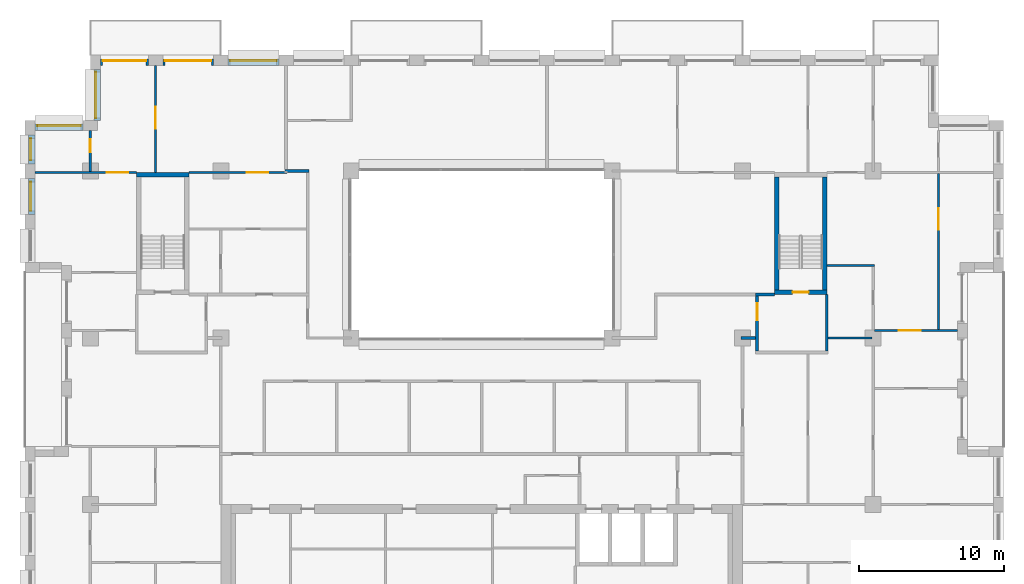
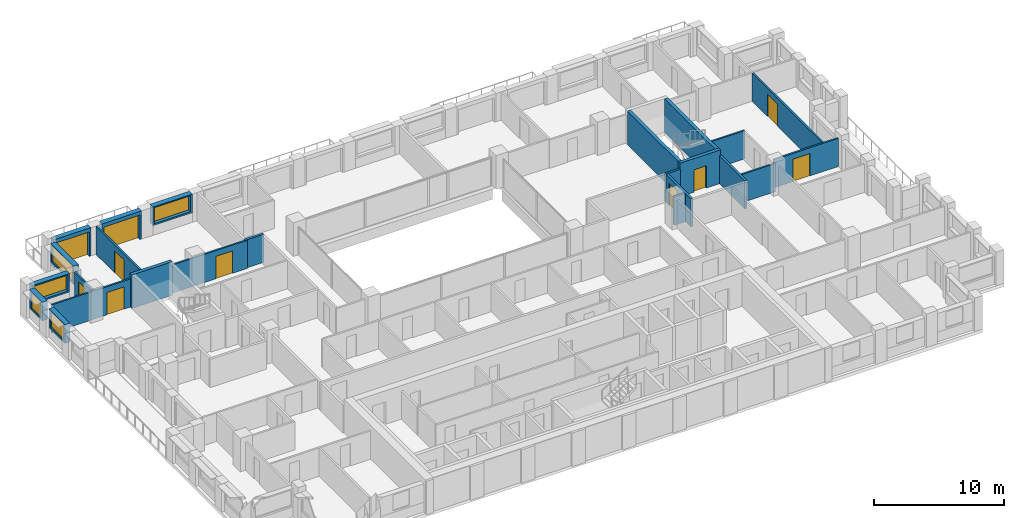
# One storey, part 12 of 16: 24 walls, 10 doors, 5 windows, 15 openings.
"""IFC4 building model written with IfcOpenShell, lengths in metres."""

from ifc_helpers import new_model, si_unit, direction, frame, frame_2d, origin, place, context, subcontext, project, spatial, rectangle, extrude, material, layer, layer_set, type_object, element, fill, save


model = new_model("IFC4")

# Units and contexts
model_context = context("Model", 3, precision=1e-05, world=origin(), true_north=direction((0.0, 1.0)))
body_context = subcontext(model_context, "Body", "Model", "MODEL_VIEW")
ifc_project = project(units=[si_unit("LENGTHUNIT", "METRE"), si_unit("AREAUNIT", "SQUARE_METRE"), si_unit("VOLUMEUNIT", "CUBIC_METRE"), si_unit("PLANEANGLEUNIT", "RADIAN"), si_unit("MASSUNIT", "GRAM", prefix="KILO")], contexts=[model_context])

# Site, building, storey
site_placement = place(None, origin())
site = spatial("IfcSite", under=ifc_project, at=site_placement, CompositionType="ELEMENT")
building_placement = place(site_placement, origin())
building = spatial("IfcBuilding", under=site, at=building_placement, Name="Brigalow Station Residences", CompositionType="ELEMENT")
storey_placement = place(building_placement, frame((0.0, 0.0, 182.25)))
storey = spatial("IfcBuildingStorey", under=building, at=storey_placement, Name="L53", CompositionType="ELEMENT", Elevation=182.25)

# Wall, opening, window
ifc_material_1 = material(Name="Clay brick masonry", Category="masonry")
ifc_layer_1 = layer(ifc_material_1, 0.449951171875)
ifc_layer_set_1 = layer_set([ifc_layer_1], Name="BRICK INFILL WALL 450")
wall_type_1 = type_object("IfcWallType", Name="BRICK INFILL WALL 450", PredefinedType="SOLIDWALL", material=ifc_layer_set_1)
wall_1_placement = place(storey_placement, frame((22.0, 43.02490234375, 0.89990234375), z_axis=(0.0, 0.0, 1.0), x_axis=(-1.0, 0.0, 0.0)))
wall_1 = element("IfcWall", 1, at=wall_1_placement, inside=storey, type_object=wall_type_1, Name="L53/ewall/W-L53-32", PredefinedType="SOLIDWALL", context=body_context, shape_type="SweptSolid", body=[
    extrude(rectangle(XDim=3.5, YDim=0.449951171875, at=frame_2d((1.75, 0.0))), origin(), (0.0, 0.0, 1.0), 1.75),
])
opening_1_placement = place(wall_1_placement, frame((0.14990234375, 0.0, 0.14990234375)))
opening_1 = element("IfcOpeningElement", 2, at=opening_1_placement, cuts=wall_1, Name="Opening WT-9", PredefinedType="OPENING", context=body_context, shape_type="SweptSolid", body=[
    extrude(rectangle(XDim=3.199951171875, YDim=1.5, at=frame_2d((1.60009765625, 0.75))), frame((0.0, 0.23486328125, 0.0), z_axis=(0.0, -1.0, 0.0), x_axis=(1.0, 0.0, 0.0)), (0.0, 0.0, 1.0), 0.469970703125),
])
ifc_material_2 = material(Name="Anodised aluminium frame with double glazing", Category="aluminium")
window_type_1 = type_object("IfcWindowType", Name="WINDOW 3200x1500", PartitioningType="SINGLE_PANEL", PredefinedType="WINDOW", material=ifc_material_2)
window_1_placement = place(opening_1_placement, origin())
window_1 = element("IfcWindow", 3, at=window_1_placement, inside=storey, type_object=window_type_1, Name="L53/window/W-L53-32", OverallHeight=1.5, OverallWidth=3.199951171875, PartitioningType="SINGLE_PANEL", PredefinedType="WINDOW", context=body_context, shape_type="SweptSolid", body=[
    extrude(rectangle(XDim=3.199951171875, YDim=1.5, at=frame_2d((1.60009765625, 0.75))), frame((0.0, -0.06494140625, 0.0), z_axis=(0.0, -1.0, 0.0), x_axis=(1.0, 0.0, 0.0)), (0.0, 0.0, 1.0), 0.06005859375),
])
fill(opening_1, window_1)

# Wall, opening, door
wall_2_placement = place(storey_placement, frame((17.5, 43.02490234375, 0.0), z_axis=(0.0, 0.0, 1.0), x_axis=(-1.0, 0.0, 0.0)))
wall_2 = element("IfcWall", 4, at=wall_2_placement, inside=storey, type_object=wall_type_1, Name="L53/ewall/W-L53-33", PredefinedType="SOLIDWALL", context=body_context, shape_type="SweptSolid", body=[
    extrude(rectangle(XDim=3.5, YDim=0.449951171875, at=frame_2d((1.75, 0.0))), origin(), (0.0, 0.0, 1.0), 2.64990234375),
])
opening_2_placement = place(wall_2_placement, frame((0.14990234375, 0.0, 0.0)))
opening_2 = element("IfcOpeningElement", 5, at=opening_2_placement, cuts=wall_2, Name="Opening D-B3200", PredefinedType="OPENING", context=body_context, shape_type="SweptSolid", body=[
    extrude(rectangle(XDim=3.199951171875, YDim=2.300048828125, at=frame_2d((1.60009765625, 1.14990234375))), frame((0.0, 0.23486328125, 0.0), z_axis=(0.0, -1.0, 0.0), x_axis=(1.0, 0.0, 0.0)), (0.0, 0.0, 1.0), 0.469970703125),
])
ifc_material_3 = material(Name="Anodised aluminium frame with double glazing", Category="aluminium")
door_type_1 = type_object("IfcDoorType", Name="BALCONY SLIDING DOOR 3200x2300", OperationType="SLIDING_TO_LEFT", PredefinedType="DOOR", material=ifc_material_3)
door_1_placement = place(opening_2_placement, origin())
door_1 = element("IfcDoor", 6, at=door_1_placement, inside=storey, type_object=door_type_1, Name="L53/balcony-door/W-L53-33", OperationType="SLIDING_TO_LEFT", OverallHeight=2.300048828125, OverallWidth=3.199951171875, PredefinedType="DOOR", context=body_context, shape_type="SweptSolid", body=[
    extrude(rectangle(XDim=3.199951171875, YDim=2.300048828125, at=frame_2d((1.60009765625, 1.14990234375))), frame((0.0, -0.06982421875, 0.0), z_axis=(0.0, -1.0, 0.0), x_axis=(1.0, 0.0, 0.0)), (0.0, 0.0, 1.0), 0.050048828125),
])
fill(opening_2, door_1)

wall_3_placement = place(storey_placement, frame((13.0, 43.02490234375, 0.0), z_axis=(0.0, 0.0, 1.0), x_axis=(-1.0, 0.0, 0.0)))
wall_3 = element("IfcWall", 7, at=wall_3_placement, inside=storey, type_object=wall_type_1, Name="L53/ewall/W-L53-34", PredefinedType="SOLIDWALL", context=body_context, shape_type="SweptSolid", body=[
    extrude(rectangle(XDim=3.300048828125, YDim=0.449951171875, at=frame_2d((1.64990234375, 0.0))), origin(), (0.0, 0.0, 1.0), 2.64990234375),
])
opening_3_placement = place(wall_3_placement, frame((0.14990234375, 0.0, 0.0)))
opening_3 = element("IfcOpeningElement", 8, at=opening_3_placement, cuts=wall_3, Name="Opening D-B3000", PredefinedType="OPENING", context=body_context, shape_type="SweptSolid", body=[
    extrude(rectangle(XDim=3.0, YDim=2.300048828125, at=frame_2d((1.5, 1.14990234375))), frame((0.0, 0.23486328125, 0.0), z_axis=(0.0, -1.0, 0.0), x_axis=(1.0, 0.0, 0.0)), (0.0, 0.0, 1.0), 0.469970703125),
])
ifc_material_4 = material(Name="Anodised aluminium frame with double glazing", Category="aluminium")
door_type_2 = type_object("IfcDoorType", Name="BALCONY SLIDING DOOR 3000x2300", OperationType="SLIDING_TO_LEFT", PredefinedType="DOOR", material=ifc_material_4)
door_2_placement = place(opening_3_placement, origin())
door_2 = element("IfcDoor", 9, at=door_2_placement, inside=storey, type_object=door_type_2, Name="L53/balcony-door/W-L53-34", OperationType="SLIDING_TO_LEFT", OverallHeight=2.300048828125, OverallWidth=3.0, PredefinedType="DOOR", context=body_context, shape_type="SweptSolid", body=[
    extrude(rectangle(XDim=3.0, YDim=2.300048828125, at=frame_2d((1.5, 1.14990234375))), frame((0.0, -0.06982421875, 0.0), z_axis=(0.0, -1.0, 0.0), x_axis=(1.0, 0.0, 0.0)), (0.0, 0.0, 1.0), 0.050048828125),
])
fill(opening_3, door_2)

# Wall, opening, window
wall_4_placement = place(storey_placement, frame((9.47509765625, 42.5, 0.89990234375), z_axis=(0.0, 0.0, 1.0), x_axis=(0.0, -1.0, 0.0)))
wall_4 = element("IfcWall", 10, at=wall_4_placement, inside=storey, type_object=wall_type_1, Name="L53/ewall/W-L53-35", PredefinedType="SOLIDWALL", context=body_context, shape_type="SweptSolid", body=[
    extrude(rectangle(XDim=3.5, YDim=0.449951171875, at=frame_2d((1.75, 0.0))), origin(), (0.0, 0.0, 1.0), 1.75),
])
opening_4_placement = place(wall_4_placement, frame((0.14990234375, 0.0, 0.14990234375)))
opening_4 = element("IfcOpeningElement", 11, at=opening_4_placement, cuts=wall_4, Name="Opening WT-9", PredefinedType="OPENING", context=body_context, shape_type="SweptSolid", body=[
    extrude(rectangle(XDim=3.199951171875, YDim=1.5, at=frame_2d((1.60009765625, 0.75))), frame((0.0, 0.23486328125, 0.0), z_axis=(0.0, -1.0, 0.0), x_axis=(1.0, 0.0, 0.0)), (0.0, 0.0, 1.0), 0.469970703125),
])
window_2_placement = place(opening_4_placement, origin())
window_2 = element("IfcWindow", 12, at=window_2_placement, inside=storey, type_object=window_type_1, Name="L53/window/W-L53-35", OverallHeight=1.5, OverallWidth=3.199951171875, PartitioningType="SINGLE_PANEL", PredefinedType="WINDOW", context=body_context, shape_type="SweptSolid", body=[
    extrude(rectangle(XDim=3.199951171875, YDim=1.5, at=frame_2d((1.60009765625, 0.75))), frame((0.0, -0.06494140625, 0.0), z_axis=(0.0, -1.0, 0.0), x_axis=(1.0, 0.0, 0.0)), (0.0, 0.0, 1.0), 0.06005859375),
])
fill(opening_4, window_2)

wall_5_placement = place(storey_placement, frame((8.5, 38.52490234375, 0.89990234375), z_axis=(0.0, 0.0, 1.0), x_axis=(-1.0, 0.0, 0.0)))
wall_5 = element("IfcWall", 13, at=wall_5_placement, inside=storey, type_object=wall_type_1, Name="L53/ewall/W-L53-36", PredefinedType="SOLIDWALL", context=body_context, shape_type="SweptSolid", body=[
    extrude(rectangle(XDim=3.300048828125, YDim=0.449951171875, at=frame_2d((1.64990234375, 0.0))), origin(), (0.0, 0.0, 1.0), 1.75),
])
opening_5_placement = place(wall_5_placement, frame((0.14990234375, 0.0, 0.14990234375)))
opening_5 = element("IfcOpeningElement", 14, at=opening_5_placement, cuts=wall_5, Name="Opening WT-2", PredefinedType="OPENING", context=body_context, shape_type="SweptSolid", body=[
    extrude(rectangle(XDim=3.0, YDim=1.5, at=frame_2d((1.5, 0.75))), frame((0.0, 0.23486328125, 0.0), z_axis=(0.0, -1.0, 0.0), x_axis=(1.0, 0.0, 0.0)), (0.0, 0.0, 1.0), 0.469970703125),
])
ifc_material_5 = material(Name="Anodised aluminium frame with double glazing", Category="aluminium")
window_type_2 = type_object("IfcWindowType", Name="WINDOW 3000x1500", PartitioningType="SINGLE_PANEL", PredefinedType="WINDOW", material=ifc_material_5)
window_3_placement = place(opening_5_placement, origin())
window_3 = element("IfcWindow", 15, at=window_3_placement, inside=storey, type_object=window_type_2, Name="L53/window/W-L53-36", OverallHeight=1.5, OverallWidth=3.0, PartitioningType="SINGLE_PANEL", PredefinedType="WINDOW", context=body_context, shape_type="SweptSolid", body=[
    extrude(rectangle(XDim=3.0, YDim=1.5, at=frame_2d((1.5, 0.75))), frame((0.0, -0.06494140625, 0.0), z_axis=(0.0, -1.0, 0.0), x_axis=(1.0, 0.0, 0.0)), (0.0, 0.0, 1.0), 0.06005859375),
])
fill(opening_5, window_3)

wall_6_placement = place(storey_placement, frame((4.97509765625, 38.0, 0.89990234375), z_axis=(0.0, 0.0, 1.0), x_axis=(0.0, -1.0, 0.0)))
wall_6 = element("IfcWall", 16, at=wall_6_placement, inside=storey, type_object=wall_type_1, Name="L53/ewall/W-L53-37", PredefinedType="SOLIDWALL", context=body_context, shape_type="SweptSolid", body=[
    extrude(rectangle(XDim=2.0, YDim=0.449951171875, at=frame_2d((1.0, 0.0))), origin(), (0.0, 0.0, 1.0), 1.75),
])
opening_6_placement = place(wall_6_placement, frame((0.25, 0.0, 0.14990234375)))
opening_6 = element("IfcOpeningElement", 17, at=opening_6_placement, cuts=wall_6, Name="Opening WT-1", PredefinedType="OPENING", context=body_context, shape_type="SweptSolid", body=[
    extrude(rectangle(XDim=1.5, YDim=1.5, at=frame_2d((0.75, 0.75))), frame((0.0, 0.23486328125, 0.0), z_axis=(0.0, -1.0, 0.0), x_axis=(1.0, 0.0, 0.0)), (0.0, 0.0, 1.0), 0.469970703125),
])
ifc_material_6 = material(Name="Anodised aluminium frame with double glazing", Category="aluminium")
window_type_3 = type_object("IfcWindowType", Name="WINDOW 1500x1500", PartitioningType="SINGLE_PANEL", PredefinedType="WINDOW", material=ifc_material_6)
window_4_placement = place(opening_6_placement, origin())
window_4 = element("IfcWindow", 18, at=window_4_placement, inside=storey, type_object=window_type_3, Name="L53/window/W-L53-37", OverallHeight=1.5, OverallWidth=1.5, PartitioningType="SINGLE_PANEL", PredefinedType="WINDOW", context=body_context, shape_type="SweptSolid", body=[
    extrude(rectangle(XDim=1.5, YDim=1.5, at=frame_2d((0.75, 0.75))), frame((0.0, -0.06494140625, 0.0), z_axis=(0.0, -1.0, 0.0), x_axis=(1.0, 0.0, 0.0)), (0.0, 0.0, 1.0), 0.06005859375),
])
fill(opening_6, window_4)

wall_7_placement = place(storey_placement, frame((4.97509765625, 35.0, 0.89990234375), z_axis=(0.0, 0.0, 1.0), x_axis=(0.0, -1.0, 0.0)))
wall_7 = element("IfcWall", 19, at=wall_7_placement, inside=storey, type_object=wall_type_1, Name="L53/ewall/W-L53-38", PredefinedType="SOLIDWALL", context=body_context, shape_type="SweptSolid", body=[
    extrude(rectangle(XDim=2.5, YDim=0.449951171875, at=frame_2d((1.25, 0.0))), origin(), (0.0, 0.0, 1.0), 1.75),
])
opening_7_placement = place(wall_7_placement, frame((0.25, 0.0, 0.14990234375)))
opening_7 = element("IfcOpeningElement", 20, at=opening_7_placement, cuts=wall_7, Name="Opening WT-7", PredefinedType="OPENING", context=body_context, shape_type="SweptSolid", body=[
    extrude(rectangle(XDim=2.0, YDim=1.5, at=frame_2d((1.0, 0.75))), frame((0.0, 0.23486328125, 0.0), z_axis=(0.0, -1.0, 0.0), x_axis=(1.0, 0.0, 0.0)), (0.0, 0.0, 1.0), 0.469970703125),
])
ifc_material_7 = material(Name="Anodised aluminium frame with double glazing", Category="aluminium")
window_type_4 = type_object("IfcWindowType", Name="WINDOW 2000x1500", PartitioningType="SINGLE_PANEL", PredefinedType="WINDOW", material=ifc_material_7)
window_5_placement = place(opening_7_placement, origin())
window_5 = element("IfcWindow", 21, at=window_5_placement, inside=storey, type_object=window_type_4, Name="L53/window/W-L53-38", OverallHeight=1.5, OverallWidth=2.0, PartitioningType="SINGLE_PANEL", PredefinedType="WINDOW", context=body_context, shape_type="SweptSolid", body=[
    extrude(rectangle(XDim=2.0, YDim=1.5, at=frame_2d((1.0, 0.75))), frame((0.0, -0.06494140625, 0.0), z_axis=(0.0, -1.0, 0.0), x_axis=(1.0, 0.0, 0.0)), (0.0, 0.0, 1.0), 0.06005859375),
])
fill(opening_7, window_5)

# Wall
ifc_material_8 = material(Name="Concrete C65", Category="concrete")
ifc_layer_2 = layer(ifc_material_8, 0.300048828125)
ifc_layer_set_2 = layer_set([ifc_layer_2], Name="CORE SHEAR WALL 300 C65")
wall_type_2 = type_object("IfcWallType", Name="CORE SHEAR WALL 300 C65", PredefinedType="SHEAR", material=ifc_layer_set_2)
wall_8_placement = place(storey_placement, frame((12.199951171875, 35.25, 0.0), z_axis=(0.0, 0.0, 1.0), x_axis=(1.0, 0.0, 0.0)))
element("IfcWall", 22, at=wall_8_placement, inside=storey, type_object=wall_type_2, Name="CORE WALL ST-S1-N L53", PredefinedType="SHEAR", context=body_context, shape_type="SweptSolid", body=[
    extrude(rectangle(XDim=3.60009765625, YDim=0.300048828125, at=frame_2d((1.800048828125, 0.0))), origin(), (0.0, 0.0, 1.0), 3.14990234375),
])

# Wall, opening, door
wall_9_placement = place(storey_placement, frame((56.199951171875, 27.14990234375, 0.0), z_axis=(0.0, 0.0, 1.0), x_axis=(1.0, 0.0, 0.0)))
wall_9 = element("IfcWall", 23, at=wall_9_placement, inside=storey, type_object=wall_type_2, Name="CORE WALL ST-S3-S L53", PredefinedType="SHEAR", context=body_context, shape_type="SweptSolid", body=[
    extrude(rectangle(XDim=3.60009765625, YDim=0.300048828125, at=frame_2d((1.800048828125, 0.0))), origin(), (0.0, 0.0, 1.0), 3.14990234375),
])
opening_8_placement = place(wall_9_placement, frame((1.25, 0.0, 0.0)))
opening_8 = element("IfcOpeningElement", 24, at=opening_8_placement, cuts=wall_9, Name="Opening D-5018", PredefinedType="OPENING", context=body_context, shape_type="SweptSolid", body=[
    extrude(rectangle(XDim=1.10009765625, YDim=2.10009765625, at=frame_2d((0.550048828125, 1.050048828125))), frame((0.0, 0.16015625, 0.0), z_axis=(0.0, -1.0, 0.0), x_axis=(1.0, 0.0, 0.0)), (0.0, 0.0, 1.0), 0.320068359375),
])
ifc_material_9 = material(Name="Steel fire door leaf in steel frame", Category="steel")
door_type_3 = type_object("IfcDoorType", Name="STAIR DOOR 1100 x 2100 FD60S", OperationType="SINGLE_SWING_LEFT", PredefinedType="DOOR", material=ifc_material_9)
door_3_placement = place(opening_8_placement, origin())
door_3 = element("IfcDoor", 25, at=door_3_placement, inside=storey, type_object=door_type_3, Name="D-5018", OperationType="SINGLE_SWING_LEFT", OverallHeight=2.10009765625, OverallWidth=1.10009765625, PredefinedType="DOOR", context=body_context, shape_type="SweptSolid", body=[
    extrude(rectangle(XDim=1.10009765625, YDim=2.10009765625, at=frame_2d((0.550048828125, 1.050048828125))), frame((0.0, 0.02490234375, 0.0), z_axis=(0.0, -1.0, 0.0), x_axis=(1.0, 0.0, 0.0)), (0.0, 0.0, 1.0), 0.050048828125),
])
fill(opening_8, door_3)

# Walls
for number, where, z_axis, x_axis, name in (
    (26, (56.35009765625, 27.300048828125, 0.0), (0.0, 0.0, 1.0), (0.0, 1.0, 0.0), "CORE WALL ST-S3-W L53"),
    (27, (59.64990234375, 27.300048828125, 0.0), (0.0, 0.0, 1.0), (0.0, 1.0, 0.0), "CORE WALL ST-S3-E L53"),
):
    element("IfcWall", number, at=place(storey_placement, frame(where, z_axis=z_axis, x_axis=x_axis)), inside=storey, type_object=wall_type_2, Name=name, PredefinedType="SHEAR", context=body_context, shape_type="SweptSolid", body=[
        extrude(rectangle(XDim=7.800048828125, YDim=0.300048828125, at=frame_2d((3.89990234375, 0.0))), origin(), (0.0, 0.0, 1.0), 3.14990234375),
    ])
ifc_material_10 = material(Name="Concrete blockwork", Category="masonry")
ifc_layer_3 = layer(ifc_material_10, 0.199951171875)
ifc_layer_set_3 = layer_set([ifc_layer_3], Name="FIRE RATED CORE PARTITION 200")
wall_type_3 = type_object("IfcWallType", Name="FIRE RATED CORE PARTITION 200", PredefinedType="PARTITIONING", material=ifc_layer_set_3)
wall_10_placement = place(storey_placement, frame((54.89990234375, 27.0, 0.0), z_axis=(0.0, 0.0, 1.0), x_axis=(1.0, 0.0, 0.0)))
element("IfcWall", 28, at=wall_10_placement, inside=storey, type_object=wall_type_3, Name="PW-5026", PredefinedType="PARTITIONING", context=body_context, shape_type="SweptSolid", body=[
    extrude(rectangle(XDim=1.300048828125, YDim=0.199951171875, at=frame_2d((0.64990234375, 0.0))), origin(), (0.0, 0.0, 1.0), 2.64990234375),
])

# Wall, opening, door
wall_11_placement = place(storey_placement, frame((55.0, 23.10009765625, 0.0), z_axis=(0.0, 0.0, 1.0), x_axis=(0.0, 1.0, 0.0)))
wall_11 = element("IfcWall", 29, at=wall_11_placement, inside=storey, type_object=wall_type_3, Name="PW-5036", PredefinedType="PARTITIONING", context=body_context, shape_type="SweptSolid", body=[
    extrude(rectangle(XDim=3.7998046875, YDim=0.199951171875, at=frame_2d((1.89990234375, 0.0))), origin(), (0.0, 0.0, 1.0), 2.64990234375),
])
opening_9_placement = place(wall_11_placement, frame((2.10009765625, 0.0, 0.0)))
opening_9 = element("IfcOpeningElement", 30, at=opening_9_placement, cuts=wall_11, Name="Opening D-5019", PredefinedType="OPENING", context=body_context, shape_type="SweptSolid", body=[
    extrude(rectangle(XDim=1.199951171875, YDim=2.10009765625, at=frame_2d((0.60009765625, 1.050048828125))), frame((0.0, 0.10986328125, 0.0), z_axis=(0.0, -1.0, 0.0), x_axis=(1.0, 0.0, 0.0)), (0.0, 0.0, 1.0), 0.219970703125),
])
ifc_material_11 = material(Name="Steel fire door leaf in steel frame", Category="steel")
door_type_4 = type_object("IfcDoorType", Name="STAIR LOBBY DOOR 1200 x 2100 FD60S", OperationType="SINGLE_SWING_LEFT", PredefinedType="DOOR", material=ifc_material_11)
door_4_placement = place(opening_9_placement, frame((1.199951171875, 0.0, 0.0), z_axis=(0.0, 0.0, 1.0), x_axis=(-1.0, 0.0, 0.0)))
door_4 = element("IfcDoor", 31, at=door_4_placement, inside=storey, type_object=door_type_4, Name="D-5019", OperationType="SINGLE_SWING_LEFT", OverallHeight=2.10009765625, OverallWidth=1.199951171875, PredefinedType="DOOR", context=body_context, shape_type="SweptSolid", body=[
    extrude(rectangle(XDim=1.199951171875, YDim=2.10009765625, at=frame_2d((0.60009765625, 1.050048828125))), frame((0.0, 0.02490234375, 0.0), z_axis=(0.0, -1.0, 0.0), x_axis=(1.0, 0.0, 0.0)), (0.0, 0.0, 1.0), 0.050048828125),
])
fill(opening_9, door_4)

# Walls
wall_12_placement = place(storey_placement, frame((59.800048828125, 23.10009765625, 0.0), z_axis=(0.0, 0.0, 1.0), x_axis=(0.0, 1.0, 0.0)))
element("IfcWall", 32, at=wall_12_placement, inside=storey, type_object=wall_type_3, Name="PW-5037", PredefinedType="PARTITIONING", context=body_context, shape_type="SweptSolid", body=[
    extrude(rectangle(XDim=3.89990234375, YDim=0.199951171875, at=frame_2d((1.949951171875, 0.0))), origin(), (0.0, 0.0, 1.0), 2.64990234375),
])
ifc_material_12 = material(Name="Plasterboard on steel stud partition", Category="steel")
ifc_layer_4 = layer(ifc_material_12, 0.14990234375)
ifc_layer_set_4 = layer_set([ifc_layer_4], Name="FLAT PARTITION 150")
wall_type_4 = type_object("IfcWallType", Name="FLAT PARTITION 150", PredefinedType="PARTITIONING", material=ifc_layer_set_4)
wall_13_placement = place(storey_placement, frame((59.89990234375, 24.0, 0.0), z_axis=(0.0, 0.0, 1.0), x_axis=(1.0, 0.0, 0.0)))
element("IfcWall", 33, at=wall_13_placement, inside=storey, type_object=wall_type_4, Name="PW-3F02", PredefinedType="PARTITIONING", context=body_context, shape_type="SweptSolid", body=[
    extrude(rectangle(XDim=3.025146484375, YDim=0.14990234375, at=frame_2d((1.5126953125, 0.0))), origin(), (0.0, 0.0, 1.0), 2.64990234375),
])

# Wall, opening, door
wall_14_placement = place(storey_placement, frame((5.199951171875, 35.39990234375, 0.0), z_axis=(0.0, 0.0, 1.0), x_axis=(1.0, 0.0, 0.0)))
wall_14 = element("IfcWall", 34, at=wall_14_placement, inside=storey, type_object=wall_type_4, Name="PW-3F10", PredefinedType="PARTITIONING", context=body_context, shape_type="SweptSolid", body=[
    extrude(rectangle(XDim=7.0, YDim=0.14990234375, at=frame_2d((3.5, 0.0))), origin(), (0.0, 0.0, 1.0), 2.64990234375),
])
opening_10_placement = place(wall_14_placement, frame((4.925048828125, 0.0, 0.0)))
opening_10 = element("IfcOpeningElement", 35, at=opening_10_placement, cuts=wall_14, Name="Opening D-3F09", PredefinedType="OPENING", context=body_context, shape_type="SweptSolid", body=[
    extrude(rectangle(XDim=1.5, YDim=2.10009765625, at=frame_2d((0.75, 1.050048828125))), frame((0.0, 0.0849609375, 0.0), z_axis=(0.0, -1.0, 0.0), x_axis=(1.0, 0.0, 0.0)), (0.0, 0.0, 1.0), 0.169921875),
])
ifc_material_13 = material(Name="Solid-core timber door leaf", Category="wood")
door_type_5 = type_object("IfcDoorType", Name="INTERNAL DOUBLE DOOR 1500 x 2100", OperationType="DOUBLE_DOOR_SINGLE_SWING", PredefinedType="DOOR", material=ifc_material_13)
door_5_placement = place(opening_10_placement, origin())
door_5 = element("IfcDoor", 36, at=door_5_placement, inside=storey, type_object=door_type_5, Name="D-3F09", OperationType="DOUBLE_DOOR_SINGLE_SWING", OverallHeight=2.10009765625, OverallWidth=1.5, PredefinedType="DOOR", context=body_context, shape_type="SweptSolid", body=[
    extrude(rectangle(XDim=1.5, YDim=2.10009765625, at=frame_2d((0.75, 1.050048828125))), frame((0.0, 0.02490234375, 0.0), z_axis=(0.0, -1.0, 0.0), x_axis=(1.0, 0.0, 0.0)), (0.0, 0.0, 1.0), 0.050048828125),
])
fill(opening_10, door_5)

wall_15_placement = place(storey_placement, frame((15.800048828125, 35.39990234375, 0.0), z_axis=(0.0, 0.0, 1.0), x_axis=(1.0, 0.0, 0.0)))
wall_15 = element("IfcWall", 37, at=wall_15_placement, inside=storey, type_object=wall_type_4, Name="PW-3F11", PredefinedType="PARTITIONING", context=body_context, shape_type="SweptSolid", body=[
    extrude(rectangle(XDim=6.77490234375, YDim=0.14990234375, at=frame_2d((3.387451171875, 0.0))), origin(), (0.0, 0.0, 1.0), 2.64990234375),
])
opening_11_placement = place(wall_15_placement, frame((3.97509765625, 0.0, 0.0)))
opening_11 = element("IfcOpeningElement", 38, at=opening_11_placement, cuts=wall_15, Name="Opening D-3F07", PredefinedType="OPENING", context=body_context, shape_type="SweptSolid", body=[
    extrude(rectangle(XDim=1.5, YDim=2.10009765625, at=frame_2d((0.75, 1.050048828125))), frame((0.0, 0.0849609375, 0.0), z_axis=(0.0, -1.0, 0.0), x_axis=(1.0, 0.0, 0.0)), (0.0, 0.0, 1.0), 0.169921875),
])
door_6_placement = place(opening_11_placement, frame((1.5, 0.0, 0.0), z_axis=(0.0, 0.0, 1.0), x_axis=(-1.0, 0.0, 0.0)))
door_6 = element("IfcDoor", 39, at=door_6_placement, inside=storey, type_object=door_type_5, Name="D-3F07", OperationType="DOUBLE_DOOR_SINGLE_SWING", OverallHeight=2.10009765625, OverallWidth=1.5, PredefinedType="DOOR", context=body_context, shape_type="SweptSolid", body=[
    extrude(rectangle(XDim=1.5, YDim=2.10009765625, at=frame_2d((0.75, 1.050048828125))), frame((0.0, 0.02490234375, 0.0), z_axis=(0.0, -1.0, 0.0), x_axis=(1.0, 0.0, 0.0)), (0.0, 0.0, 1.0), 0.050048828125),
])
fill(opening_11, door_6)

wall_16_placement = place(storey_placement, frame((63.074951171875, 24.5, 0.0), z_axis=(0.0, 0.0, 1.0), x_axis=(1.0, 0.0, 0.0)))
wall_16 = element("IfcWall", 40, at=wall_16_placement, inside=storey, type_object=wall_type_4, Name="PW-3F18", PredefinedType="PARTITIONING", context=body_context, shape_type="SweptSolid", body=[
    extrude(rectangle(XDim=5.72509765625, YDim=0.14990234375, at=frame_2d((2.862548828125, 0.0))), origin(), (0.0, 0.0, 1.0), 2.64990234375),
])
opening_12_placement = place(wall_16_placement, frame((1.699951171875, 0.0, 0.0)))
opening_12 = element("IfcOpeningElement", 41, at=opening_12_placement, cuts=wall_16, Name="Opening D-3F27", PredefinedType="OPENING", context=body_context, shape_type="SweptSolid", body=[
    extrude(rectangle(XDim=1.5, YDim=2.10009765625, at=frame_2d((0.75, 1.050048828125))), frame((0.0, 0.0849609375, 0.0), z_axis=(0.0, -1.0, 0.0), x_axis=(1.0, 0.0, 0.0)), (0.0, 0.0, 1.0), 0.169921875),
])
door_7_placement = place(opening_12_placement, frame((1.5, 0.0, 0.0), z_axis=(0.0, 0.0, 1.0), x_axis=(-1.0, 0.0, 0.0)))
door_7 = element("IfcDoor", 42, at=door_7_placement, inside=storey, type_object=door_type_5, Name="D-3F27", OperationType="DOUBLE_DOOR_SINGLE_SWING", OverallHeight=2.10009765625, OverallWidth=1.5, PredefinedType="DOOR", context=body_context, shape_type="SweptSolid", body=[
    extrude(rectangle(XDim=1.5, YDim=2.10009765625, at=frame_2d((0.75, 1.050048828125))), frame((0.0, 0.02490234375, 0.0), z_axis=(0.0, -1.0, 0.0), x_axis=(1.0, 0.0, 0.0)), (0.0, 0.0, 1.0), 0.050048828125),
])
fill(opening_12, door_7)

# Wall
wall_17_placement = place(storey_placement, frame((59.800048828125, 29.0, 0.0), z_axis=(0.0, 0.0, 1.0), x_axis=(1.0, 0.0, 0.0)))
element("IfcWall", 43, at=wall_17_placement, inside=storey, type_object=wall_type_4, Name="PW-3F25", PredefinedType="PARTITIONING", context=body_context, shape_type="SweptSolid", body=[
    extrude(rectangle(XDim=3.27490234375, YDim=0.14990234375, at=frame_2d((1.637451171875, 0.0))), origin(), (0.0, 0.0, 1.0), 2.64990234375),
])

# Wall, opening, door
wall_18_placement = place(storey_placement, frame((9.0, 35.47509765625, 0.0), z_axis=(0.0, 0.0, 1.0), x_axis=(0.0, 1.0, 0.0)))
wall_18 = element("IfcWall", 44, at=wall_18_placement, inside=storey, type_object=wall_type_4, Name="PW-3F37", PredefinedType="PARTITIONING", context=body_context, shape_type="SweptSolid", body=[
    extrude(rectangle(XDim=2.824951171875, YDim=0.14990234375, at=frame_2d((1.41259765625, 0.0))), origin(), (0.0, 0.0, 1.0), 2.64990234375),
])
opening_13_placement = place(wall_18_placement, frame((1.324951171875, 0.0, 0.0)))
opening_13 = element("IfcOpeningElement", 45, at=opening_13_placement, cuts=wall_18, Name="Opening D-3F05", PredefinedType="OPENING", context=body_context, shape_type="SweptSolid", body=[
    extrude(rectangle(XDim=0.89990234375, YDim=2.10009765625, at=frame_2d((0.449951171875, 1.050048828125))), frame((0.0, 0.0849609375, 0.0), z_axis=(0.0, -1.0, 0.0), x_axis=(1.0, 0.0, 0.0)), (0.0, 0.0, 1.0), 0.169921875),
])
ifc_material_14 = material(Name="Solid-core timber door leaf", Category="wood")
door_type_6 = type_object("IfcDoorType", Name="INTERNAL DOOR 900 x 2100", OperationType="SINGLE_SWING_LEFT", PredefinedType="DOOR", material=ifc_material_14)
door_8_placement = place(opening_13_placement, origin())
door_8 = element("IfcDoor", 46, at=door_8_placement, inside=storey, type_object=door_type_6, Name="D-3F05", OperationType="SINGLE_SWING_RIGHT", OverallHeight=2.10009765625, OverallWidth=0.89990234375, PredefinedType="DOOR", context=body_context, shape_type="SweptSolid", body=[
    extrude(rectangle(XDim=0.89990234375, YDim=2.10009765625, at=frame_2d((0.449951171875, 1.050048828125))), frame((0.0, 0.02490234375, 0.0), z_axis=(0.0, -1.0, 0.0), x_axis=(1.0, 0.0, 0.0)), (0.0, 0.0, 1.0), 0.050048828125),
])
fill(opening_13, door_8)

wall_19_placement = place(storey_placement, frame((13.5, 35.39990234375, 0.0), z_axis=(0.0, 0.0, 1.0), x_axis=(0.0, 1.0, 0.0)))
wall_19 = element("IfcWall", 47, at=wall_19_placement, inside=storey, type_object=wall_type_4, Name="PW-3F42", PredefinedType="PARTITIONING", context=body_context, shape_type="SweptSolid", body=[
    extrude(rectangle(XDim=7.400146484375, YDim=0.14990234375, at=frame_2d((3.7001953125, 0.0))), origin(), (0.0, 0.0, 1.0), 2.64990234375),
])
opening_14_placement = place(wall_19_placement, frame((3.02490234375, 0.0, 0.0)))
opening_14 = element("IfcOpeningElement", 48, at=opening_14_placement, cuts=wall_19, Name="Opening D-3F08", PredefinedType="OPENING", context=body_context, shape_type="SweptSolid", body=[
    extrude(rectangle(XDim=1.5, YDim=2.10009765625, at=frame_2d((0.75, 1.050048828125))), frame((0.0, 0.0849609375, 0.0), z_axis=(0.0, -1.0, 0.0), x_axis=(1.0, 0.0, 0.0)), (0.0, 0.0, 1.0), 0.169921875),
])
door_9_placement = place(opening_14_placement, origin())
door_9 = element("IfcDoor", 49, at=door_9_placement, inside=storey, type_object=door_type_5, Name="D-3F08", OperationType="DOUBLE_DOOR_SINGLE_SWING", OverallHeight=2.10009765625, OverallWidth=1.5, PredefinedType="DOOR", context=body_context, shape_type="SweptSolid", body=[
    extrude(rectangle(XDim=1.5, YDim=2.10009765625, at=frame_2d((0.75, 1.050048828125))), frame((0.0, 0.02490234375, 0.0), z_axis=(0.0, -1.0, 0.0), x_axis=(1.0, 0.0, 0.0)), (0.0, 0.0, 1.0), 0.050048828125),
])
fill(opening_14, door_9)

wall_20_placement = place(storey_placement, frame((67.5, 24.574951171875, 0.0), z_axis=(0.0, 0.0, 1.0), x_axis=(0.0, 1.0, 0.0)))
wall_20 = element("IfcWall", 50, at=wall_20_placement, inside=storey, type_object=wall_type_4, Name="PW-3F50", PredefinedType="PARTITIONING", context=body_context, shape_type="SweptSolid", body=[
    extrude(rectangle(XDim=10.75, YDim=0.14990234375, at=frame_2d((5.375, 0.0))), origin(), (0.0, 0.0, 1.0), 2.64990234375),
])
opening_15_placement = place(wall_20_placement, frame((6.875, 0.0, 0.0)))
opening_15 = element("IfcOpeningElement", 51, at=opening_15_placement, cuts=wall_20, Name="Opening D-3F29", PredefinedType="OPENING", context=body_context, shape_type="SweptSolid", body=[
    extrude(rectangle(XDim=1.5, YDim=2.10009765625, at=frame_2d((0.75, 1.050048828125))), frame((0.0, 0.0849609375, 0.0), z_axis=(0.0, -1.0, 0.0), x_axis=(1.0, 0.0, 0.0)), (0.0, 0.0, 1.0), 0.169921875),
])
door_10_placement = place(opening_15_placement, frame((1.5, 0.0, 0.0), z_axis=(0.0, 0.0, 1.0), x_axis=(-1.0, 0.0, 0.0)))
door_10 = element("IfcDoor", 52, at=door_10_placement, inside=storey, type_object=door_type_5, Name="D-3F29", OperationType="DOUBLE_DOOR_SINGLE_SWING", OverallHeight=2.10009765625, OverallWidth=1.5, PredefinedType="DOOR", context=body_context, shape_type="SweptSolid", body=[
    extrude(rectangle(XDim=1.5, YDim=2.10009765625, at=frame_2d((0.75, 1.050048828125))), frame((0.0, 0.02490234375, 0.0), z_axis=(0.0, -1.0, 0.0), x_axis=(1.0, 0.0, 0.0)), (0.0, 0.0, 1.0), 0.050048828125),
])
fill(opening_15, door_10)

# Walls
ifc_material_15 = material(Name="Plasterboard on steel stud partition", Category="steel")
ifc_layer_5 = layer(ifc_material_15, 0.199951171875)
ifc_layer_set_5 = layer_set([ifc_layer_5], Name="PARTY AND CORRIDOR WALL 200")
wall_type_5 = type_object("IfcWallType", Name="PARTY AND CORRIDOR WALL 200", PredefinedType="PARTITIONING", material=ifc_layer_set_5)
wall_21_placement = place(storey_placement, frame((53.89990234375, 24.0, 0.0), z_axis=(0.0, 0.0, 1.0), x_axis=(1.0, 0.0, 0.0)))
element("IfcWall", 53, at=wall_21_placement, inside=storey, type_object=wall_type_5, Name="PW-3F05", PredefinedType="PARTITIONING", context=body_context, shape_type="SweptSolid", body=[
    extrude(rectangle(XDim=1.0, YDim=0.199951171875, at=frame_2d((0.5, 0.0))), origin(), (0.0, 0.0, 1.0), 2.64990234375),
])
wall_22_placement = place(storey_placement, frame((22.425048828125, 35.5, 0.0), z_axis=(0.0, 0.0, 1.0), x_axis=(1.0, 0.0, 0.0)))
element("IfcWall", 54, at=wall_22_placement, inside=storey, type_object=wall_type_5, Name="PW-3F15", PredefinedType="PARTITIONING", context=body_context, shape_type="SweptSolid", body=[
    extrude(rectangle(XDim=1.675048828125, YDim=0.199951171875, at=frame_2d((0.83740234375, 0.0))), origin(), (0.0, 0.0, 1.0), 2.64990234375),
])

save(model, "model.ifc")
